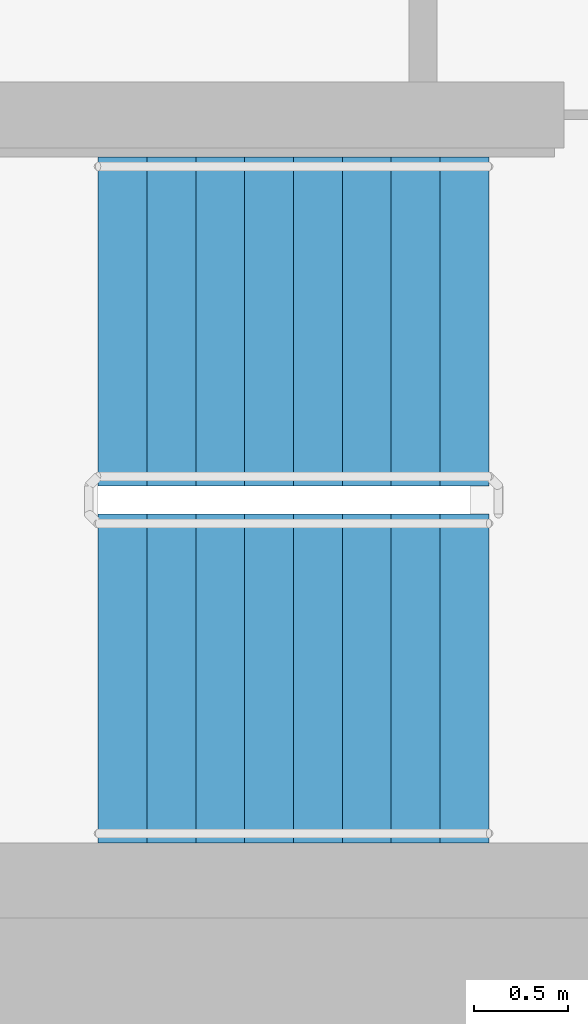
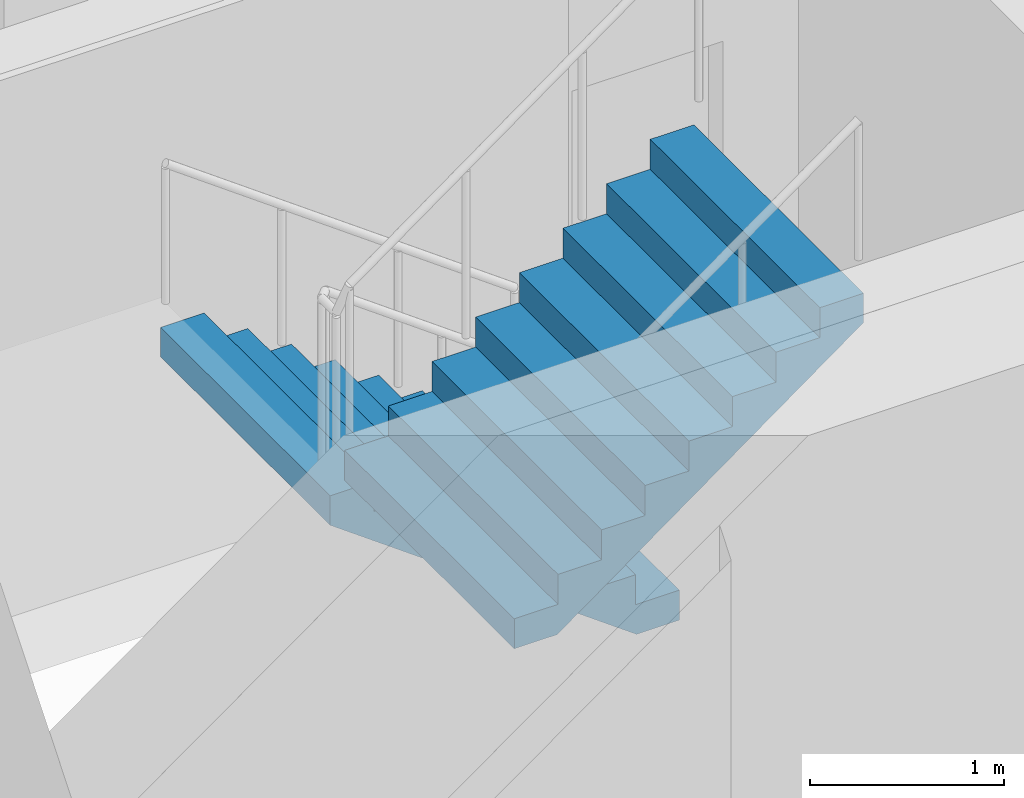
# One storey, part 13 of 19: 2 stair flights, 1 element without a shape of its own.
"""IFC4 building model written with IfcOpenShell, lengths in metres."""

from ifc_helpers import new_model, si_unit, direction, frame, origin, place, context, subcontext, project, spatial, faceted_brep, material, type_object, element, aggregate, save


model = new_model("IFC4")

# Units and contexts
model_context = context("Model", 3, precision=1e-05, world=origin(), true_north=direction((0.0, 1.0)))
body_context = subcontext(model_context, "Body", "Model", "MODEL_VIEW")
ifc_project = project(units=[si_unit("LENGTHUNIT", "METRE"), si_unit("AREAUNIT", "SQUARE_METRE"), si_unit("VOLUMEUNIT", "CUBIC_METRE"), si_unit("PLANEANGLEUNIT", "RADIAN"), si_unit("MASSUNIT", "GRAM", prefix="KILO")], contexts=[model_context])

# Site, building, storey
site_placement = place(None, origin())
site = spatial("IfcSite", under=ifc_project, at=site_placement, CompositionType="ELEMENT")
building_placement = place(site_placement, origin())
building = spatial("IfcBuilding", under=site, at=building_placement, Name="Ipe Terrace Towers", CompositionType="ELEMENT")
storey_placement = place(building_placement, frame((0.0, 0.0, 140.5)))
storey = spatial("IfcBuildingStorey", under=building, at=storey_placement, Name="L38", CompositionType="ELEMENT", Elevation=140.5)

# Stair, stair flights
ifc_material_1 = material(Name="Concrete C30/37", Category="concrete")
stair_type = type_object("IfcStairType", Name="Protected exit stair", PredefinedType="HALF_TURN_STAIR", material=ifc_material_1)
stair_placement = place(storey_placement, origin())
stair = element("IfcStair", 1, at=stair_placement, inside=storey, type_object=stair_type, Name="L38 Exit stair T1-C2", PredefinedType="HALF_TURN_STAIR")
ifc_material_2 = material(Name="Concrete C30/37", Category="concrete")
stair_flight_type = type_object("IfcStairFlightType", Name="Exit stair flight 1750", PredefinedType="STRAIGHT", material=ifc_material_2)
stair_flight_1_placement = place(storey_placement, frame((-45.699951171875, -2.77490234375, 0.0), z_axis=(0.0, 0.0, 1.0), x_axis=(-1.0, 0.0, 0.0)))
stair_flight_1 = element("IfcStairFlight", 2, at=stair_flight_1_placement, type_object=stair_flight_type, Name="T1-ST2 flight 1", NumberOfRisers=9, NumberOfTreads=8, PredefinedType="STRAIGHT", RiserHeight=0.188888889, TreadLength=0.26, context=body_context, shape_type="Brep", body=[
    faceted_brep([(0.255126953125, -0.875, 0.0), (2.080078125, -0.875, 1.325927734375), (2.080078125, -0.875, 1.51123046875), (1.820068359375, -0.875, 1.51123046875), (1.820068359375, -0.875, 1.322265625), (1.56005859375, -0.875, 1.322265625), (1.56005859375, -0.875, 1.13330078125), (1.300048828125, -0.875, 1.13330078125), (1.300048828125, -0.875, 0.9443359375), (1.0400390625, -0.875, 0.9443359375), (1.0400390625, -0.875, 0.755615234375), (0.780029296875, -0.875, 0.755615234375), (0.780029296875, -0.875, 0.566650390625), (0.52001953125, -0.875, 0.566650390625), (0.52001953125, -0.875, 0.377685546875), (0.260009765625, -0.875, 0.377685546875), (0.260009765625, -0.875, 0.18896484375), (0.0, -0.875, 0.18896484375), (0.0, -0.875, 0.0), (0.0, 0.875, 0.0), (0.0, 0.875, 0.18896484375), (0.260009765625, 0.875, 0.18896484375), (0.260009765625, 0.875, 0.377685546875), (0.52001953125, 0.875, 0.377685546875), (0.52001953125, 0.875, 0.566650390625), (0.780029296875, 0.875, 0.566650390625), (0.780029296875, 0.875, 0.755615234375), (1.0400390625, 0.875, 0.755615234375), (1.0400390625, 0.875, 0.9443359375), (1.300048828125, 0.875, 0.9443359375), (1.300048828125, 0.875, 1.13330078125), (1.56005859375, 0.875, 1.13330078125), (1.56005859375, 0.875, 1.322265625), (1.820068359375, 0.875, 1.322265625), (1.820068359375, 0.875, 1.51123046875), (2.080078125, 0.875, 1.51123046875), (2.080078125, 0.875, 1.325927734375), (0.255126953125, 0.875, 0.0), (0.0, -0.300048828125, 0.18896484375), (0.0, -0.1201171875, 0.18896484375), (0.0, -0.06005859375, 0.18896484375), (0.0, -0.030029296875, 0.18896484375), (0.0, -0.010009765625, 0.18896484375), (0.0, 0.0, 0.18896484375), (0.0, 0.010009765625, 0.18896484375), (0.0, 0.030029296875, 0.18896484375), (0.0, 0.06005859375, 0.18896484375), (0.0, 0.1201171875, 0.18896484375), (0.0, 0.300048828125, 0.18896484375), (0.0, 0.300048828125, 0.0), (0.0, 0.1201171875, 0.0), (0.0, 0.06005859375, 0.0), (0.0, 0.030029296875, 0.0), (0.0, 0.010009765625, 0.0), (0.0, 0.0, 0.0), (0.0, -0.010009765625, 0.0), (0.0, -0.030029296875, 0.0), (0.0, -0.06005859375, 0.0), (0.0, -0.1201171875, 0.0), (0.0, -0.300048828125, 0.0), (0.260009765625, -0.300048828125, 0.18896484375), (0.260009765625, -0.1201171875, 0.18896484375), (0.260009765625, -0.06005859375, 0.18896484375), (0.260009765625, -0.030029296875, 0.18896484375), (0.260009765625, -0.010009765625, 0.18896484375), (0.260009765625, 0.0, 0.18896484375), (0.260009765625, 0.010009765625, 0.18896484375), (0.260009765625, 0.030029296875, 0.18896484375), (0.260009765625, 0.06005859375, 0.18896484375), (0.260009765625, 0.1201171875, 0.18896484375), (0.260009765625, 0.300048828125, 0.18896484375), (0.260009765625, -0.300048828125, 0.377685546875), (0.260009765625, -0.1201171875, 0.377685546875), (0.260009765625, -0.06005859375, 0.377685546875), (0.260009765625, -0.030029296875, 0.377685546875), (0.260009765625, -0.010009765625, 0.377685546875), (0.260009765625, 0.0, 0.377685546875), (0.260009765625, 0.010009765625, 0.377685546875), (0.260009765625, 0.030029296875, 0.377685546875), (0.260009765625, 0.06005859375, 0.377685546875), (0.260009765625, 0.1201171875, 0.377685546875), (0.260009765625, 0.300048828125, 0.377685546875), (0.52001953125, -0.300048828125, 0.377685546875), (0.52001953125, -0.1201171875, 0.377685546875), (0.52001953125, -0.06005859375, 0.377685546875), (0.52001953125, -0.030029296875, 0.377685546875), (0.52001953125, -0.010009765625, 0.377685546875), (0.52001953125, 0.0, 0.377685546875), (0.52001953125, 0.010009765625, 0.377685546875), (0.52001953125, 0.030029296875, 0.377685546875), (0.52001953125, 0.06005859375, 0.377685546875), (0.52001953125, 0.1201171875, 0.377685546875), (0.52001953125, 0.300048828125, 0.377685546875), (0.52001953125, -0.300048828125, 0.566650390625), (0.52001953125, -0.1201171875, 0.566650390625), (0.52001953125, -0.06005859375, 0.566650390625), (0.52001953125, -0.030029296875, 0.566650390625), (0.52001953125, -0.010009765625, 0.566650390625), (0.52001953125, 0.0, 0.566650390625), (0.52001953125, 0.010009765625, 0.566650390625), (0.52001953125, 0.030029296875, 0.566650390625), (0.52001953125, 0.06005859375, 0.566650390625), (0.52001953125, 0.1201171875, 0.566650390625), (0.52001953125, 0.300048828125, 0.566650390625), (0.780029296875, -0.300048828125, 0.566650390625), (0.780029296875, -0.1201171875, 0.566650390625), (0.780029296875, -0.06005859375, 0.566650390625), (0.780029296875, -0.030029296875, 0.566650390625), (0.780029296875, -0.010009765625, 0.566650390625), (0.780029296875, 0.0, 0.566650390625), (0.780029296875, 0.010009765625, 0.566650390625), (0.780029296875, 0.030029296875, 0.566650390625), (0.780029296875, 0.06005859375, 0.566650390625), (0.780029296875, 0.1201171875, 0.566650390625), (0.780029296875, 0.300048828125, 0.566650390625), (0.780029296875, -0.300048828125, 0.755615234375), (0.780029296875, -0.1201171875, 0.755615234375), (0.780029296875, -0.06005859375, 0.755615234375), (0.780029296875, -0.030029296875, 0.755615234375), (0.780029296875, -0.010009765625, 0.755615234375), (0.780029296875, 0.0, 0.755615234375), (0.780029296875, 0.010009765625, 0.755615234375), (0.780029296875, 0.030029296875, 0.755615234375), (0.780029296875, 0.06005859375, 0.755615234375), (0.780029296875, 0.1201171875, 0.755615234375), (0.780029296875, 0.300048828125, 0.755615234375), (1.0400390625, -0.300048828125, 0.755615234375), (1.0400390625, -0.1201171875, 0.755615234375), (1.0400390625, -0.06005859375, 0.755615234375), (1.0400390625, -0.030029296875, 0.755615234375), (1.0400390625, -0.010009765625, 0.755615234375), (1.0400390625, 0.0, 0.755615234375), (1.0400390625, 0.010009765625, 0.755615234375), (1.0400390625, 0.030029296875, 0.755615234375), (1.0400390625, 0.06005859375, 0.755615234375), (1.0400390625, 0.1201171875, 0.755615234375), (1.0400390625, 0.300048828125, 0.755615234375), (1.0400390625, -0.300048828125, 0.9443359375), (1.0400390625, -0.1201171875, 0.9443359375), (1.0400390625, -0.06005859375, 0.9443359375), (1.0400390625, -0.030029296875, 0.9443359375), (1.0400390625, -0.010009765625, 0.9443359375), (1.0400390625, 0.0, 0.9443359375), (1.0400390625, 0.010009765625, 0.9443359375), (1.0400390625, 0.030029296875, 0.9443359375), (1.0400390625, 0.06005859375, 0.9443359375), (1.0400390625, 0.1201171875, 0.9443359375), (1.0400390625, 0.300048828125, 0.9443359375), (1.300048828125, -0.300048828125, 0.9443359375), (1.300048828125, -0.1201171875, 0.9443359375), (1.300048828125, -0.06005859375, 0.9443359375), (1.300048828125, -0.030029296875, 0.9443359375), (1.300048828125, -0.010009765625, 0.9443359375), (1.300048828125, 0.0, 0.9443359375), (1.300048828125, 0.010009765625, 0.9443359375), (1.300048828125, 0.030029296875, 0.9443359375), (1.300048828125, 0.06005859375, 0.9443359375), (1.300048828125, 0.1201171875, 0.9443359375), (1.300048828125, 0.300048828125, 0.9443359375), (1.300048828125, -0.300048828125, 1.13330078125), (1.300048828125, -0.1201171875, 1.13330078125), (1.300048828125, -0.06005859375, 1.13330078125), (1.300048828125, -0.030029296875, 1.13330078125), (1.300048828125, -0.010009765625, 1.13330078125), (1.300048828125, 0.0, 1.13330078125), (1.300048828125, 0.010009765625, 1.13330078125), (1.300048828125, 0.030029296875, 1.13330078125), (1.300048828125, 0.06005859375, 1.13330078125), (1.300048828125, 0.1201171875, 1.13330078125), (1.300048828125, 0.300048828125, 1.13330078125), (1.56005859375, -0.300048828125, 1.13330078125), (1.56005859375, -0.1201171875, 1.13330078125), (1.56005859375, -0.06005859375, 1.13330078125), (1.56005859375, -0.030029296875, 1.13330078125), (1.56005859375, -0.010009765625, 1.13330078125), (1.56005859375, 0.0, 1.13330078125), (1.56005859375, 0.010009765625, 1.13330078125), (1.56005859375, 0.030029296875, 1.13330078125), (1.56005859375, 0.06005859375, 1.13330078125), (1.56005859375, 0.1201171875, 1.13330078125), (1.56005859375, 0.300048828125, 1.13330078125), (1.56005859375, -0.300048828125, 1.322265625), (1.56005859375, -0.1201171875, 1.322265625), (1.56005859375, -0.06005859375, 1.322265625), (1.56005859375, -0.030029296875, 1.322265625), (1.56005859375, -0.010009765625, 1.322265625), (1.56005859375, 0.0, 1.322265625), (1.56005859375, 0.010009765625, 1.322265625), (1.56005859375, 0.030029296875, 1.322265625), (1.56005859375, 0.06005859375, 1.322265625), (1.56005859375, 0.1201171875, 1.322265625), (1.56005859375, 0.300048828125, 1.322265625), (1.820068359375, -0.300048828125, 1.322265625), (1.820068359375, -0.1201171875, 1.322265625), (1.820068359375, -0.06005859375, 1.322265625), (1.820068359375, -0.030029296875, 1.322265625), (1.820068359375, -0.010009765625, 1.322265625), (1.820068359375, 0.0, 1.322265625), (1.820068359375, 0.010009765625, 1.322265625), (1.820068359375, 0.030029296875, 1.322265625), (1.820068359375, 0.06005859375, 1.322265625), (1.820068359375, 0.1201171875, 1.322265625), (1.820068359375, 0.300048828125, 1.322265625), (1.820068359375, -0.300048828125, 1.51123046875), (1.820068359375, -0.1201171875, 1.51123046875), (1.820068359375, -0.06005859375, 1.51123046875), (1.820068359375, -0.030029296875, 1.51123046875), (1.820068359375, -0.010009765625, 1.51123046875), (1.820068359375, 0.0, 1.51123046875), (1.820068359375, 0.010009765625, 1.51123046875), (1.820068359375, 0.030029296875, 1.51123046875), (1.820068359375, 0.06005859375, 1.51123046875), (1.820068359375, 0.1201171875, 1.51123046875), (1.820068359375, 0.300048828125, 1.51123046875), (2.080078125, -0.300048828125, 1.51123046875), (2.080078125, -0.1201171875, 1.51123046875), (2.080078125, -0.06005859375, 1.51123046875), (2.080078125, -0.030029296875, 1.51123046875), (2.080078125, -0.010009765625, 1.51123046875), (2.080078125, 0.0, 1.51123046875), (2.080078125, 0.010009765625, 1.51123046875), (2.080078125, 0.030029296875, 1.51123046875), (2.080078125, 0.06005859375, 1.51123046875), (2.080078125, 0.1201171875, 1.51123046875), (2.080078125, 0.300048828125, 1.51123046875), (2.080078125, -0.300048828125, 1.325927734375), (2.080078125, -0.1201171875, 1.325927734375), (2.080078125, -0.06005859375, 1.325927734375), (2.080078125, -0.030029296875, 1.325927734375), (2.080078125, -0.010009765625, 1.325927734375), (2.080078125, 0.0, 1.325927734375), (2.080078125, 0.010009765625, 1.325927734375), (2.080078125, 0.030029296875, 1.325927734375), (2.080078125, 0.06005859375, 1.325927734375), (2.080078125, 0.1201171875, 1.325927734375), (2.080078125, 0.300048828125, 1.325927734375), (0.255126953125, -0.300048828125, 0.0), (0.255126953125, -0.1201171875, 0.0), (0.255126953125, -0.06005859375, 0.0), (0.255126953125, -0.030029296875, 0.0), (0.255126953125, -0.010009765625, 0.0), (0.255126953125, 0.0, 0.0), (0.255126953125, 0.010009765625, 0.0), (0.255126953125, 0.030029296875, 0.0), (0.255126953125, 0.06005859375, 0.0), (0.255126953125, 0.1201171875, 0.0), (0.255126953125, 0.300048828125, 0.0)], [[[0, 1, 2, 3, 4, 5, 6, 7, 8, 9, 10, 11, 12, 13, 14, 15, 16, 17, 18]], [[19, 20, 21, 22, 23, 24, 25, 26, 27, 28, 29, 30, 31, 32, 33, 34, 35, 36, 37]], [[17, 38, 39, 40, 41, 42, 43, 44, 45, 46, 47, 48, 20, 19, 49, 50, 51, 52, 53, 54, 55, 56, 57, 58, 59, 18]], [[16, 60, 61, 62, 63, 64, 65, 66, 67, 68, 69, 70, 21, 20, 48, 47, 46, 45, 44, 43, 42, 41, 40, 39, 38, 17]], [[15, 71, 72, 73, 74, 75, 76, 77, 78, 79, 80, 81, 22, 21, 70, 69, 68, 67, 66, 65, 64, 63, 62, 61, 60, 16]], [[14, 82, 83, 84, 85, 86, 87, 88, 89, 90, 91, 92, 23, 22, 81, 80, 79, 78, 77, 76, 75, 74, 73, 72, 71, 15]], [[13, 93, 94, 95, 96, 97, 98, 99, 100, 101, 102, 103, 24, 23, 92, 91, 90, 89, 88, 87, 86, 85, 84, 83, 82, 14]], [[12, 104, 105, 106, 107, 108, 109, 110, 111, 112, 113, 114, 25, 24, 103, 102, 101, 100, 99, 98, 97, 96, 95, 94, 93, 13]], [[11, 115, 116, 117, 118, 119, 120, 121, 122, 123, 124, 125, 26, 25, 114, 113, 112, 111, 110, 109, 108, 107, 106, 105, 104, 12]], [[10, 126, 127, 128, 129, 130, 131, 132, 133, 134, 135, 136, 27, 26, 125, 124, 123, 122, 121, 120, 119, 118, 117, 116, 115, 11]], [[9, 137, 138, 139, 140, 141, 142, 143, 144, 145, 146, 147, 28, 27, 136, 135, 134, 133, 132, 131, 130, 129, 128, 127, 126, 10]], [[8, 148, 149, 150, 151, 152, 153, 154, 155, 156, 157, 158, 29, 28, 147, 146, 145, 144, 143, 142, 141, 140, 139, 138, 137, 9]], [[7, 159, 160, 161, 162, 163, 164, 165, 166, 167, 168, 169, 30, 29, 158, 157, 156, 155, 154, 153, 152, 151, 150, 149, 148, 8]], [[6, 170, 171, 172, 173, 174, 175, 176, 177, 178, 179, 180, 31, 30, 169, 168, 167, 166, 165, 164, 163, 162, 161, 160, 159, 7]], [[5, 181, 182, 183, 184, 185, 186, 187, 188, 189, 190, 191, 32, 31, 180, 179, 178, 177, 176, 175, 174, 173, 172, 171, 170, 6]], [[4, 192, 193, 194, 195, 196, 197, 198, 199, 200, 201, 202, 33, 32, 191, 190, 189, 188, 187, 186, 185, 184, 183, 182, 181, 5]], [[3, 203, 204, 205, 206, 207, 208, 209, 210, 211, 212, 213, 34, 33, 202, 201, 200, 199, 198, 197, 196, 195, 194, 193, 192, 4]], [[2, 214, 215, 216, 217, 218, 219, 220, 221, 222, 223, 224, 35, 34, 213, 212, 211, 210, 209, 208, 207, 206, 205, 204, 203, 3]], [[1, 225, 226, 227, 228, 229, 230, 231, 232, 233, 234, 235, 36, 35, 224, 223, 222, 221, 220, 219, 218, 217, 216, 215, 214, 2]], [[0, 236, 237, 238, 239, 240, 241, 242, 243, 244, 245, 246, 37, 36, 235, 234, 233, 232, 231, 230, 229, 228, 227, 226, 225, 1]], [[18, 59, 58, 57, 56, 55, 54, 53, 52, 51, 50, 49, 19, 37, 246, 245, 244, 243, 242, 241, 240, 239, 238, 237, 236, 0]]]),
])
stair_flight_2_placement = place(storey_placement, frame((-47.780029296875, -4.675048828125, 1.699951171875), z_axis=(0.0, 0.0, 1.0), x_axis=(1.0, 0.0, 0.0)))
stair_flight_2 = element("IfcStairFlight", 3, at=stair_flight_2_placement, type_object=stair_flight_type, Name="T1-ST2 flight 2", NumberOfRisers=9, NumberOfTreads=8, PredefinedType="STRAIGHT", RiserHeight=0.188888889, TreadLength=0.26, context=body_context, shape_type="Brep", body=[
    faceted_brep([(0.255126953125, -0.875, 0.0), (2.080078125, -0.875, 1.325927734375), (2.080078125, -0.875, 1.51123046875), (1.820068359375, -0.875, 1.51123046875), (1.820068359375, -0.875, 1.322265625), (1.56005859375, -0.875, 1.322265625), (1.56005859375, -0.875, 1.13330078125), (1.300048828125, -0.875, 1.13330078125), (1.300048828125, -0.875, 0.9443359375), (1.0400390625, -0.875, 0.9443359375), (1.0400390625, -0.875, 0.755615234375), (0.780029296875, -0.875, 0.755615234375), (0.780029296875, -0.875, 0.566650390625), (0.52001953125, -0.875, 0.566650390625), (0.52001953125, -0.875, 0.377685546875), (0.260009765625, -0.875, 0.377685546875), (0.260009765625, -0.875, 0.18896484375), (0.0, -0.875, 0.18896484375), (0.0, -0.875, 0.0), (0.0, 0.875, 0.0), (0.0, 0.875, 0.18896484375), (0.260009765625, 0.875, 0.18896484375), (0.260009765625, 0.875, 0.377685546875), (0.52001953125, 0.875, 0.377685546875), (0.52001953125, 0.875, 0.566650390625), (0.780029296875, 0.875, 0.566650390625), (0.780029296875, 0.875, 0.755615234375), (1.0400390625, 0.875, 0.755615234375), (1.0400390625, 0.875, 0.9443359375), (1.300048828125, 0.875, 0.9443359375), (1.300048828125, 0.875, 1.13330078125), (1.56005859375, 0.875, 1.13330078125), (1.56005859375, 0.875, 1.322265625), (1.820068359375, 0.875, 1.322265625), (1.820068359375, 0.875, 1.51123046875), (2.080078125, 0.875, 1.51123046875), (2.080078125, 0.875, 1.325927734375), (0.255126953125, 0.875, 0.0), (0.0, -0.300048828125, 0.18896484375), (0.0, -0.1201171875, 0.18896484375), (0.0, -0.06005859375, 0.18896484375), (0.0, -0.030029296875, 0.18896484375), (0.0, -0.010009765625, 0.18896484375), (0.0, 0.0, 0.18896484375), (0.0, 0.010009765625, 0.18896484375), (0.0, 0.030029296875, 0.18896484375), (0.0, 0.06005859375, 0.18896484375), (0.0, 0.1201171875, 0.18896484375), (0.0, 0.300048828125, 0.18896484375), (0.0, 0.300048828125, 0.0), (0.0, 0.1201171875, 0.0), (0.0, 0.06005859375, 0.0), (0.0, 0.030029296875, 0.0), (0.0, 0.010009765625, 0.0), (0.0, 0.0, 0.0), (0.0, -0.010009765625, 0.0), (0.0, -0.030029296875, 0.0), (0.0, -0.06005859375, 0.0), (0.0, -0.1201171875, 0.0), (0.0, -0.300048828125, 0.0), (0.260009765625, -0.300048828125, 0.18896484375), (0.260009765625, -0.1201171875, 0.18896484375), (0.260009765625, -0.06005859375, 0.18896484375), (0.260009765625, -0.030029296875, 0.18896484375), (0.260009765625, -0.010009765625, 0.18896484375), (0.260009765625, 0.0, 0.18896484375), (0.260009765625, 0.010009765625, 0.18896484375), (0.260009765625, 0.030029296875, 0.18896484375), (0.260009765625, 0.06005859375, 0.18896484375), (0.260009765625, 0.1201171875, 0.18896484375), (0.260009765625, 0.300048828125, 0.18896484375), (0.260009765625, -0.300048828125, 0.377685546875), (0.260009765625, -0.1201171875, 0.377685546875), (0.260009765625, -0.06005859375, 0.377685546875), (0.260009765625, -0.030029296875, 0.377685546875), (0.260009765625, -0.010009765625, 0.377685546875), (0.260009765625, 0.0, 0.377685546875), (0.260009765625, 0.010009765625, 0.377685546875), (0.260009765625, 0.030029296875, 0.377685546875), (0.260009765625, 0.06005859375, 0.377685546875), (0.260009765625, 0.1201171875, 0.377685546875), (0.260009765625, 0.300048828125, 0.377685546875), (0.52001953125, -0.300048828125, 0.377685546875), (0.52001953125, -0.1201171875, 0.377685546875), (0.52001953125, -0.06005859375, 0.377685546875), (0.52001953125, -0.030029296875, 0.377685546875), (0.52001953125, -0.010009765625, 0.377685546875), (0.52001953125, 0.0, 0.377685546875), (0.52001953125, 0.010009765625, 0.377685546875), (0.52001953125, 0.030029296875, 0.377685546875), (0.52001953125, 0.06005859375, 0.377685546875), (0.52001953125, 0.1201171875, 0.377685546875), (0.52001953125, 0.300048828125, 0.377685546875), (0.52001953125, -0.300048828125, 0.566650390625), (0.52001953125, -0.1201171875, 0.566650390625), (0.52001953125, -0.06005859375, 0.566650390625), (0.52001953125, -0.030029296875, 0.566650390625), (0.52001953125, -0.010009765625, 0.566650390625), (0.52001953125, 0.0, 0.566650390625), (0.52001953125, 0.010009765625, 0.566650390625), (0.52001953125, 0.030029296875, 0.566650390625), (0.52001953125, 0.06005859375, 0.566650390625), (0.52001953125, 0.1201171875, 0.566650390625), (0.52001953125, 0.300048828125, 0.566650390625), (0.780029296875, -0.300048828125, 0.566650390625), (0.780029296875, -0.1201171875, 0.566650390625), (0.780029296875, -0.06005859375, 0.566650390625), (0.780029296875, -0.030029296875, 0.566650390625), (0.780029296875, -0.010009765625, 0.566650390625), (0.780029296875, 0.0, 0.566650390625), (0.780029296875, 0.010009765625, 0.566650390625), (0.780029296875, 0.030029296875, 0.566650390625), (0.780029296875, 0.06005859375, 0.566650390625), (0.780029296875, 0.1201171875, 0.566650390625), (0.780029296875, 0.300048828125, 0.566650390625), (0.780029296875, -0.300048828125, 0.755615234375), (0.780029296875, -0.1201171875, 0.755615234375), (0.780029296875, -0.06005859375, 0.755615234375), (0.780029296875, -0.030029296875, 0.755615234375), (0.780029296875, -0.010009765625, 0.755615234375), (0.780029296875, 0.0, 0.755615234375), (0.780029296875, 0.010009765625, 0.755615234375), (0.780029296875, 0.030029296875, 0.755615234375), (0.780029296875, 0.06005859375, 0.755615234375), (0.780029296875, 0.1201171875, 0.755615234375), (0.780029296875, 0.300048828125, 0.755615234375), (1.0400390625, -0.300048828125, 0.755615234375), (1.0400390625, -0.1201171875, 0.755615234375), (1.0400390625, -0.06005859375, 0.755615234375), (1.0400390625, -0.030029296875, 0.755615234375), (1.0400390625, -0.010009765625, 0.755615234375), (1.0400390625, 0.0, 0.755615234375), (1.0400390625, 0.010009765625, 0.755615234375), (1.0400390625, 0.030029296875, 0.755615234375), (1.0400390625, 0.06005859375, 0.755615234375), (1.0400390625, 0.1201171875, 0.755615234375), (1.0400390625, 0.300048828125, 0.755615234375), (1.0400390625, -0.300048828125, 0.9443359375), (1.0400390625, -0.1201171875, 0.9443359375), (1.0400390625, -0.06005859375, 0.9443359375), (1.0400390625, -0.030029296875, 0.9443359375), (1.0400390625, -0.010009765625, 0.9443359375), (1.0400390625, 0.0, 0.9443359375), (1.0400390625, 0.010009765625, 0.9443359375), (1.0400390625, 0.030029296875, 0.9443359375), (1.0400390625, 0.06005859375, 0.9443359375), (1.0400390625, 0.1201171875, 0.9443359375), (1.0400390625, 0.300048828125, 0.9443359375), (1.300048828125, -0.300048828125, 0.9443359375), (1.300048828125, -0.1201171875, 0.9443359375), (1.300048828125, -0.06005859375, 0.9443359375), (1.300048828125, -0.030029296875, 0.9443359375), (1.300048828125, -0.010009765625, 0.9443359375), (1.300048828125, 0.0, 0.9443359375), (1.300048828125, 0.010009765625, 0.9443359375), (1.300048828125, 0.030029296875, 0.9443359375), (1.300048828125, 0.06005859375, 0.9443359375), (1.300048828125, 0.1201171875, 0.9443359375), (1.300048828125, 0.300048828125, 0.9443359375), (1.300048828125, -0.300048828125, 1.13330078125), (1.300048828125, -0.1201171875, 1.13330078125), (1.300048828125, -0.06005859375, 1.13330078125), (1.300048828125, -0.030029296875, 1.13330078125), (1.300048828125, -0.010009765625, 1.13330078125), (1.300048828125, 0.0, 1.13330078125), (1.300048828125, 0.010009765625, 1.13330078125), (1.300048828125, 0.030029296875, 1.13330078125), (1.300048828125, 0.06005859375, 1.13330078125), (1.300048828125, 0.1201171875, 1.13330078125), (1.300048828125, 0.300048828125, 1.13330078125), (1.56005859375, -0.300048828125, 1.13330078125), (1.56005859375, -0.1201171875, 1.13330078125), (1.56005859375, -0.06005859375, 1.13330078125), (1.56005859375, -0.030029296875, 1.13330078125), (1.56005859375, -0.010009765625, 1.13330078125), (1.56005859375, 0.0, 1.13330078125), (1.56005859375, 0.010009765625, 1.13330078125), (1.56005859375, 0.030029296875, 1.13330078125), (1.56005859375, 0.06005859375, 1.13330078125), (1.56005859375, 0.1201171875, 1.13330078125), (1.56005859375, 0.300048828125, 1.13330078125), (1.56005859375, -0.300048828125, 1.322265625), (1.56005859375, -0.1201171875, 1.322265625), (1.56005859375, -0.06005859375, 1.322265625), (1.56005859375, -0.030029296875, 1.322265625), (1.56005859375, -0.010009765625, 1.322265625), (1.56005859375, 0.0, 1.322265625), (1.56005859375, 0.010009765625, 1.322265625), (1.56005859375, 0.030029296875, 1.322265625), (1.56005859375, 0.06005859375, 1.322265625), (1.56005859375, 0.1201171875, 1.322265625), (1.56005859375, 0.300048828125, 1.322265625), (1.820068359375, -0.300048828125, 1.322265625), (1.820068359375, -0.1201171875, 1.322265625), (1.820068359375, -0.06005859375, 1.322265625), (1.820068359375, -0.030029296875, 1.322265625), (1.820068359375, -0.010009765625, 1.322265625), (1.820068359375, 0.0, 1.322265625), (1.820068359375, 0.010009765625, 1.322265625), (1.820068359375, 0.030029296875, 1.322265625), (1.820068359375, 0.06005859375, 1.322265625), (1.820068359375, 0.1201171875, 1.322265625), (1.820068359375, 0.300048828125, 1.322265625), (1.820068359375, -0.300048828125, 1.51123046875), (1.820068359375, -0.1201171875, 1.51123046875), (1.820068359375, -0.06005859375, 1.51123046875), (1.820068359375, -0.030029296875, 1.51123046875), (1.820068359375, -0.010009765625, 1.51123046875), (1.820068359375, 0.0, 1.51123046875), (1.820068359375, 0.010009765625, 1.51123046875), (1.820068359375, 0.030029296875, 1.51123046875), (1.820068359375, 0.06005859375, 1.51123046875), (1.820068359375, 0.1201171875, 1.51123046875), (1.820068359375, 0.300048828125, 1.51123046875), (2.080078125, -0.300048828125, 1.51123046875), (2.080078125, -0.1201171875, 1.51123046875), (2.080078125, -0.06005859375, 1.51123046875), (2.080078125, -0.030029296875, 1.51123046875), (2.080078125, -0.010009765625, 1.51123046875), (2.080078125, 0.0, 1.51123046875), (2.080078125, 0.010009765625, 1.51123046875), (2.080078125, 0.030029296875, 1.51123046875), (2.080078125, 0.06005859375, 1.51123046875), (2.080078125, 0.1201171875, 1.51123046875), (2.080078125, 0.300048828125, 1.51123046875), (2.080078125, -0.300048828125, 1.325927734375), (2.080078125, -0.1201171875, 1.325927734375), (2.080078125, -0.06005859375, 1.325927734375), (2.080078125, -0.030029296875, 1.325927734375), (2.080078125, -0.010009765625, 1.325927734375), (2.080078125, 0.0, 1.325927734375), (2.080078125, 0.010009765625, 1.325927734375), (2.080078125, 0.030029296875, 1.325927734375), (2.080078125, 0.06005859375, 1.325927734375), (2.080078125, 0.1201171875, 1.325927734375), (2.080078125, 0.300048828125, 1.325927734375), (0.255126953125, -0.300048828125, 0.0), (0.255126953125, -0.1201171875, 0.0), (0.255126953125, -0.06005859375, 0.0), (0.255126953125, -0.030029296875, 0.0), (0.255126953125, -0.010009765625, 0.0), (0.255126953125, 0.0, 0.0), (0.255126953125, 0.010009765625, 0.0), (0.255126953125, 0.030029296875, 0.0), (0.255126953125, 0.06005859375, 0.0), (0.255126953125, 0.1201171875, 0.0), (0.255126953125, 0.300048828125, 0.0)], [[[0, 1, 2, 3, 4, 5, 6, 7, 8, 9, 10, 11, 12, 13, 14, 15, 16, 17, 18]], [[19, 20, 21, 22, 23, 24, 25, 26, 27, 28, 29, 30, 31, 32, 33, 34, 35, 36, 37]], [[17, 38, 39, 40, 41, 42, 43, 44, 45, 46, 47, 48, 20, 19, 49, 50, 51, 52, 53, 54, 55, 56, 57, 58, 59, 18]], [[16, 60, 61, 62, 63, 64, 65, 66, 67, 68, 69, 70, 21, 20, 48, 47, 46, 45, 44, 43, 42, 41, 40, 39, 38, 17]], [[15, 71, 72, 73, 74, 75, 76, 77, 78, 79, 80, 81, 22, 21, 70, 69, 68, 67, 66, 65, 64, 63, 62, 61, 60, 16]], [[14, 82, 83, 84, 85, 86, 87, 88, 89, 90, 91, 92, 23, 22, 81, 80, 79, 78, 77, 76, 75, 74, 73, 72, 71, 15]], [[13, 93, 94, 95, 96, 97, 98, 99, 100, 101, 102, 103, 24, 23, 92, 91, 90, 89, 88, 87, 86, 85, 84, 83, 82, 14]], [[12, 104, 105, 106, 107, 108, 109, 110, 111, 112, 113, 114, 25, 24, 103, 102, 101, 100, 99, 98, 97, 96, 95, 94, 93, 13]], [[11, 115, 116, 117, 118, 119, 120, 121, 122, 123, 124, 125, 26, 25, 114, 113, 112, 111, 110, 109, 108, 107, 106, 105, 104, 12]], [[10, 126, 127, 128, 129, 130, 131, 132, 133, 134, 135, 136, 27, 26, 125, 124, 123, 122, 121, 120, 119, 118, 117, 116, 115, 11]], [[9, 137, 138, 139, 140, 141, 142, 143, 144, 145, 146, 147, 28, 27, 136, 135, 134, 133, 132, 131, 130, 129, 128, 127, 126, 10]], [[8, 148, 149, 150, 151, 152, 153, 154, 155, 156, 157, 158, 29, 28, 147, 146, 145, 144, 143, 142, 141, 140, 139, 138, 137, 9]], [[7, 159, 160, 161, 162, 163, 164, 165, 166, 167, 168, 169, 30, 29, 158, 157, 156, 155, 154, 153, 152, 151, 150, 149, 148, 8]], [[6, 170, 171, 172, 173, 174, 175, 176, 177, 178, 179, 180, 31, 30, 169, 168, 167, 166, 165, 164, 163, 162, 161, 160, 159, 7]], [[5, 181, 182, 183, 184, 185, 186, 187, 188, 189, 190, 191, 32, 31, 180, 179, 178, 177, 176, 175, 174, 173, 172, 171, 170, 6]], [[4, 192, 193, 194, 195, 196, 197, 198, 199, 200, 201, 202, 33, 32, 191, 190, 189, 188, 187, 186, 185, 184, 183, 182, 181, 5]], [[3, 203, 204, 205, 206, 207, 208, 209, 210, 211, 212, 213, 34, 33, 202, 201, 200, 199, 198, 197, 196, 195, 194, 193, 192, 4]], [[2, 214, 215, 216, 217, 218, 219, 220, 221, 222, 223, 224, 35, 34, 213, 212, 211, 210, 209, 208, 207, 206, 205, 204, 203, 3]], [[1, 225, 226, 227, 228, 229, 230, 231, 232, 233, 234, 235, 36, 35, 224, 223, 222, 221, 220, 219, 218, 217, 216, 215, 214, 2]], [[0, 236, 237, 238, 239, 240, 241, 242, 243, 244, 245, 246, 37, 36, 235, 234, 233, 232, 231, 230, 229, 228, 227, 226, 225, 1]], [[18, 59, 58, 57, 56, 55, 54, 53, 52, 51, 50, 49, 19, 37, 246, 245, 244, 243, 242, 241, 240, 239, 238, 237, 236, 0]]]),
])
aggregate(stair, [stair_flight_1, stair_flight_2])

save(model, "model.ifc")
